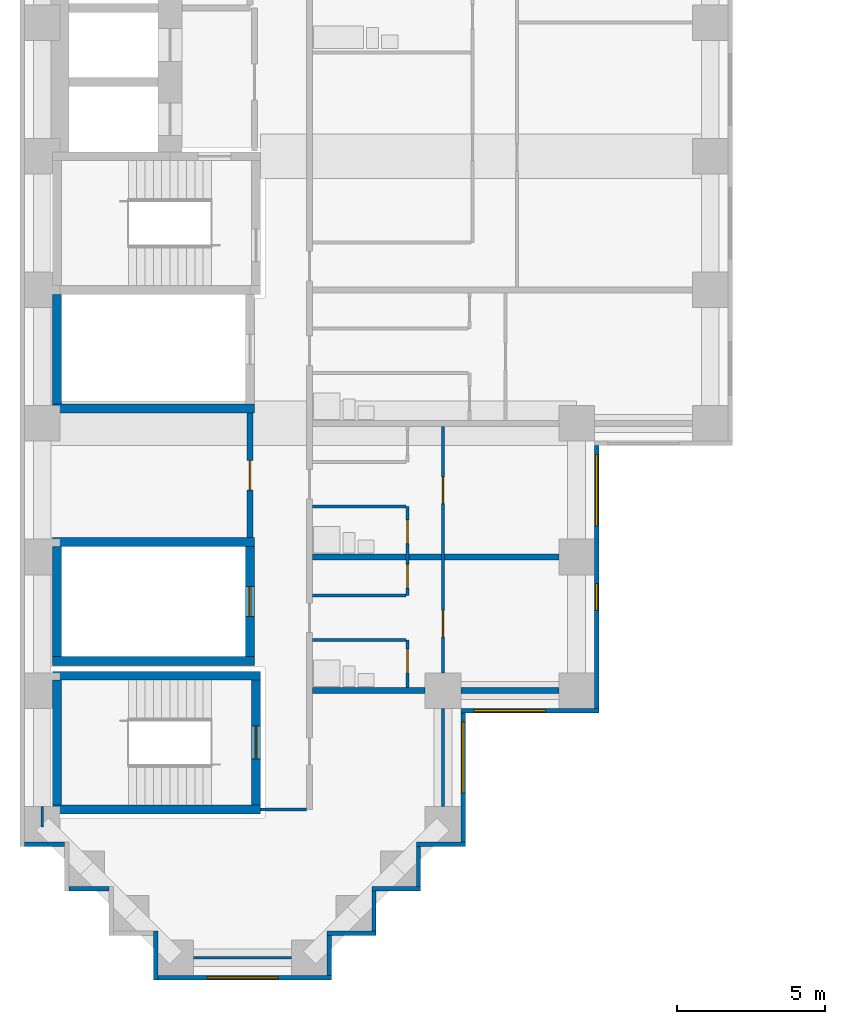
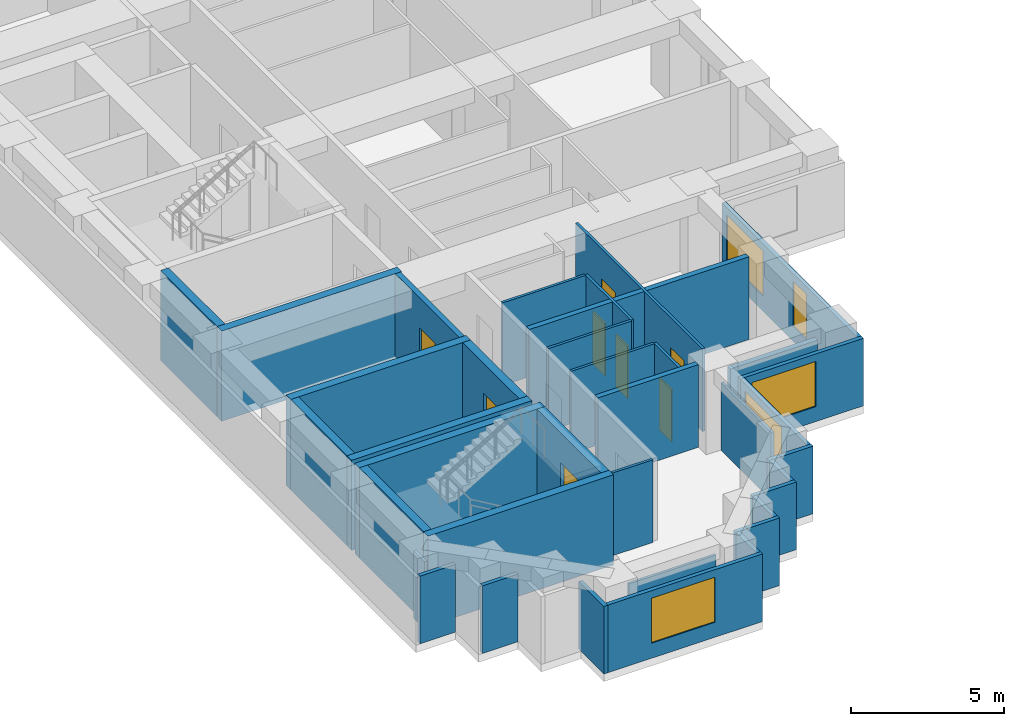
# One storey, part 2 of 12: 37 walls, 8 doors, 5 windows, 13 openings.
"""IFC4 building model written with IfcOpenShell, lengths in metres."""

from ifc_helpers import new_model, si_unit, direction, frame, frame_2d, origin, place, context, subcontext, project, spatial, rectangle, extrude, material, layer, layer_set, type_object, element, fill, save


model = new_model("IFC4")

# Units and contexts
model_context = context("Model", 3, precision=1e-05, world=origin(), true_north=direction((0.0, 1.0)))
body_context = subcontext(model_context, "Body", "Model", "MODEL_VIEW")
ifc_project = project(units=[si_unit("LENGTHUNIT", "METRE"), si_unit("AREAUNIT", "SQUARE_METRE"), si_unit("VOLUMEUNIT", "CUBIC_METRE"), si_unit("PLANEANGLEUNIT", "RADIAN"), si_unit("MASSUNIT", "GRAM", prefix="KILO")], contexts=[model_context])

# Site, building, storey
site_placement = place(None, origin())
site = spatial("IfcSite", under=ifc_project, at=site_placement, CompositionType="ELEMENT")
building_placement = place(site_placement, origin())
building = spatial("IfcBuilding", under=site, at=building_placement, Name="Firuza Court", CompositionType="ELEMENT")
storey_placement = place(building_placement, frame((0.0, 0.0, 43.39990234375)))
storey = spatial("IfcBuildingStorey", under=building, at=storey_placement, Name="L09", CompositionType="ELEMENT", Elevation=43.39990234375)

# Walls
ifc_material_1 = material(Name="Moisture-resistant gypsum board partition")
ifc_layer_1 = layer(ifc_material_1, 0.10009765625)
ifc_layer_set_1 = layer_set([ifc_layer_1], Name="Moisture-resistant gypsum board partition")
wall_type_1 = type_object("IfcWallType", Name="Bathroom partition 100", PredefinedType="PLUMBINGWALL", material=ifc_layer_set_1)
for number, where, z_axis, x_axis, name in (
    (1, (9.10009765625, 10.699951171875, 0.0), (0.0, 0.0, 1.0), (1.0, 0.0, 0.0), "Bathroom partition 100 L09"),
    (2, (9.10009765625, 15.199951171875, 0.0), (0.0, 0.0, 1.0), (1.0, 0.0, 0.0), "Bathroom partition 100 L09"),
):
    element("IfcWall", number, at=place(storey_placement, frame(where, z_axis=z_axis, x_axis=x_axis)), inside=storey, type_object=wall_type_1, Name=name, PredefinedType="PLUMBINGWALL", context=body_context, shape_type="SweptSolid", body=[
        extrude(rectangle(XDim=3.14990234375, YDim=0.10009765625, at=frame_2d((1.574951171875, 0.0))), origin(), (0.0, 0.0, 1.0), 3.300048828125),
    ])
ifc_material_2 = material(Name="Concrete C60/75", Category="concrete")
ifc_layer_2 = layer(ifc_material_2, 0.300048828125)
ifc_layer_set_2 = layer_set([ifc_layer_2], Name="Concrete C60/75")
wall_type_2 = type_object("IfcWallType", Name="Core wall 300 C60/75", PredefinedType="SHEAR", material=ifc_layer_set_2)
for number, where, z_axis, x_axis, name in (
    (3, (0.35009765625, 5.0, -0.2998046875), (0.0, 0.0, 1.0), (1.0, 0.0, 0.0), "Core wall stair L09"),
    (4, (0.35009765625, 9.5, -0.2998046875), (0.0, 0.0, 1.0), (1.0, 0.0, 0.0), "Core wall stair L09"),
):
    element("IfcWall", number, at=place(storey_placement, frame(where, z_axis=z_axis, x_axis=x_axis)), inside=storey, type_object=wall_type_2, Name=name, PredefinedType="SHEAR", context=body_context, shape_type="SweptSolid", body=[
        extrude(rectangle(XDim=7.0, YDim=0.300048828125, at=frame_2d((3.5, 0.0))), origin(), (0.0, 0.0, 1.0), 3.599853515625),
    ])
for number, where, z_axis, x_axis, name in (
    (5, (0.35009765625, 10.0, -0.2998046875), (0.0, 0.0, 1.0), (1.0, 0.0, 0.0), "Core wall riser L09"),
    (6, (0.35009765625, 14.0, -0.2998046875), (0.0, 0.0, 1.0), (1.0, 0.0, 0.0), "Core wall riser L09"),
    (7, (0.35009765625, 18.5, -0.2998046875), (0.0, 0.0, 1.0), (1.0, 0.0, 0.0), "Core wall riser L09"),
):
    element("IfcWall", number, at=place(storey_placement, frame(where, z_axis=z_axis, x_axis=x_axis)), inside=storey, type_object=wall_type_2, Name=name, PredefinedType="SHEAR", context=body_context, shape_type="SweptSolid", body=[
        extrude(rectangle(XDim=6.7998046875, YDim=0.300048828125, at=frame_2d((3.39990234375, 0.0))), origin(), (0.0, 0.0, 1.0), 3.599853515625),
    ])
wall_1_placement = place(storey_placement, frame((0.5, 5.14990234375, -0.2998046875), z_axis=(0.0, 0.0, 1.0), x_axis=(0.0, 1.0, 0.0)))
element("IfcWall", 8, at=wall_1_placement, inside=storey, type_object=wall_type_2, Name="Core wall stair L09", PredefinedType="SHEAR", context=body_context, shape_type="SweptSolid", body=[
    extrude(rectangle(XDim=4.2001953125, YDim=0.300048828125, at=frame_2d((2.10009765625, 0.0))), origin(), (0.0, 0.0, 1.0), 3.599853515625),
])
for number, where, z_axis, x_axis, name in (
    (9, (0.5, 10.14990234375, -0.2998046875), (0.0, 0.0, 1.0), (0.0, 1.0, 0.0), "Core wall riser L09"),
    (10, (0.5, 18.64990234375, -0.2998046875), (0.0, 0.0, 1.0), (0.0, 1.0, 0.0), "Core wall riser L09"),
):
    element("IfcWall", number, at=place(storey_placement, frame(where, z_axis=z_axis, x_axis=x_axis)), inside=storey, type_object=wall_type_2, Name=name, PredefinedType="SHEAR", context=body_context, shape_type="SweptSolid", body=[
        extrude(rectangle(XDim=3.7001953125, YDim=0.300048828125, at=frame_2d((1.85009765625, 0.0))), origin(), (0.0, 0.0, 1.0), 3.599853515625),
    ])

# Wall, opening, door
wall_2_placement = place(storey_placement, frame((7.0, 10.14990234375, -0.2998046875), z_axis=(0.0, 0.0, 1.0), x_axis=(0.0, 1.0, 0.0)))
wall_2 = element("IfcWall", 11, at=wall_2_placement, inside=storey, type_object=wall_type_2, Name="Core wall riser L09", PredefinedType="SHEAR", context=body_context, shape_type="SweptSolid", body=[
    extrude(rectangle(XDim=3.7001953125, YDim=0.300048828125, at=frame_2d((1.85009765625, 0.0))), origin(), (0.0, 0.0, 1.0), 3.599853515625),
])
opening_1_placement = place(wall_2_placement, frame((1.35009765625, 0.0, 0.300048828125)))
opening_1 = element("IfcOpeningElement", 12, at=opening_1_placement, cuts=wall_2, Name="Opening D09012", PredefinedType="OPENING", context=body_context, shape_type="SweptSolid", body=[
    extrude(rectangle(XDim=1.0, YDim=2.10009765625, at=frame_2d((0.5, 1.050048828125))), frame((0.0, 0.162109375, 0.0), z_axis=(0.0, -1.0, 0.0), x_axis=(1.0, 0.0, 0.0)), (0.0, 0.0, 1.0), 0.323974609375),
])
ifc_material_3 = material(Name="Timber door leaf in hardwood frame", Category="wood")
door_type_1 = type_object("IfcDoorType", Name="Riser door 1000", OperationType="SINGLE_SWING_LEFT", PredefinedType="DOOR", material=ifc_material_3)
door_1_placement = place(opening_1_placement, origin())
door_1 = element("IfcDoor", 13, at=door_1_placement, inside=storey, type_object=door_type_1, Name="Riser door R4", OperationType="SINGLE_SWING_LEFT", OverallHeight=2.10009765625, OverallWidth=1.0, PredefinedType="DOOR", context=body_context, shape_type="SweptSolid", body=[
    extrude(rectangle(XDim=1.0, YDim=2.10009765625, at=frame_2d((0.5, 1.050048828125))), frame((0.0, 0.02490234375, 0.0), z_axis=(0.0, -1.0, 0.0), x_axis=(1.0, 0.0, 0.0)), (0.0, 0.0, 1.0), 0.050048828125),
])
fill(opening_1, door_1)

wall_3_placement = place(storey_placement, frame((7.199951171875, 5.14990234375, -0.2998046875), z_axis=(0.0, 0.0, 1.0), x_axis=(0.0, 1.0, 0.0)))
wall_3 = element("IfcWall", 14, at=wall_3_placement, inside=storey, type_object=wall_type_2, Name="Core wall stair L09", PredefinedType="SHEAR", context=body_context, shape_type="SweptSolid", body=[
    extrude(rectangle(XDim=4.2001953125, YDim=0.300048828125, at=frame_2d((2.10009765625, 0.0))), origin(), (0.0, 0.0, 1.0), 3.599853515625),
])
opening_2_placement = place(wall_3_placement, frame((1.550048828125, 0.0, 0.300048828125)))
opening_2 = element("IfcOpeningElement", 15, at=opening_2_placement, cuts=wall_3, Name="Opening D09018", PredefinedType="OPENING", context=body_context, shape_type="SweptSolid", body=[
    extrude(rectangle(XDim=1.10009765625, YDim=2.10009765625, at=frame_2d((0.550048828125, 1.050048828125))), frame((0.0, 0.162109375, 0.0), z_axis=(0.0, -1.0, 0.0), x_axis=(1.0, 0.0, 0.0)), (0.0, 0.0, 1.0), 0.323974609375),
])
ifc_material_4 = material(Name="Timber door leaf in hardwood frame", Category="wood")
door_type_2 = type_object("IfcDoorType", Name="Stair door 1100", OperationType="SINGLE_SWING_LEFT", PredefinedType="DOOR", material=ifc_material_4)
door_2_placement = place(opening_2_placement, origin())
door_2 = element("IfcDoor", 16, at=door_2_placement, inside=storey, type_object=door_type_2, Name="Stair door S5", OperationType="SINGLE_SWING_LEFT", OverallHeight=2.10009765625, OverallWidth=1.10009765625, PredefinedType="DOOR", context=body_context, shape_type="SweptSolid", body=[
    extrude(rectangle(XDim=1.10009765625, YDim=2.10009765625, at=frame_2d((0.550048828125, 1.050048828125))), frame((0.0, 0.02490234375, 0.0), z_axis=(0.0, -1.0, 0.0), x_axis=(1.0, 0.0, 0.0)), (0.0, 0.0, 1.0), 0.050048828125),
])
fill(opening_2, door_2)

ifc_material_5 = material(Name="Blockwork, plastered both sides", Category="masonry")
ifc_layer_3 = layer(ifc_material_5, 0.199951171875)
ifc_layer_set_3 = layer_set([ifc_layer_3], Name="Blockwork, plastered both sides")
wall_type_3 = type_object("IfcWallType", Name="Corridor wall 200", PredefinedType="PARTITIONING", material=ifc_layer_set_3)
wall_4_placement = place(storey_placement, frame((7.0, 14.14990234375, 0.0), z_axis=(0.0, 0.0, 1.0), x_axis=(0.0, 1.0, 0.0)))
wall_4 = element("IfcWall", 17, at=wall_4_placement, inside=storey, type_object=wall_type_3, Name="Corridor wall 200 L09", PredefinedType="PARTITIONING", context=body_context, shape_type="SweptSolid", body=[
    extrude(rectangle(XDim=4.2001953125, YDim=0.199951171875, at=frame_2d((2.10009765625, 0.0))), origin(), (0.0, 0.0, 1.0), 3.300048828125),
])
opening_3_placement = place(wall_4_placement, frame((1.60009765625, 0.0, 0.0)))
opening_3 = element("IfcOpeningElement", 18, at=opening_3_placement, cuts=wall_4, Name="Opening D09030", PredefinedType="OPENING", context=body_context, shape_type="SweptSolid", body=[
    extrude(rectangle(XDim=1.0, YDim=2.10009765625, at=frame_2d((0.5, 1.050048828125))), frame((0.0, 0.11181640625, 0.0), z_axis=(0.0, -1.0, 0.0), x_axis=(1.0, 0.0, 0.0)), (0.0, 0.0, 1.0), 0.223876953125),
])
ifc_material_6 = material(Name="Timber door leaf in hardwood frame", Category="wood")
door_type_3 = type_object("IfcDoorType", Name="Store door 1000", OperationType="SINGLE_SWING_LEFT", PredefinedType="DOOR", material=ifc_material_6)
door_3_placement = place(opening_3_placement, origin())
door_3 = element("IfcDoor", 19, at=door_3_placement, inside=storey, type_object=door_type_3, Name="Parcel room door", OperationType="SINGLE_SWING_LEFT", OverallHeight=2.10009765625, OverallWidth=1.0, PredefinedType="DOOR", context=body_context, shape_type="SweptSolid", body=[
    extrude(rectangle(XDim=1.0, YDim=2.10009765625, at=frame_2d((0.5, 1.050048828125))), frame((0.0, 0.02490234375, 0.0), z_axis=(0.0, -1.0, 0.0), x_axis=(1.0, 0.0, 0.0)), (0.0, 0.0, 1.0), 0.050048828125),
])
fill(opening_3, door_3)

# Walls
ifc_material_7 = material(Name="Timber stud partition, plasterboard both sides", Category="wood")
ifc_layer_4 = layer(ifc_material_7, 0.10009765625)
ifc_layer_set_4 = layer_set([ifc_layer_4], Name="Timber stud partition, plasterboard both sides")
wall_type_4 = type_object("IfcWallType", Name="Partition wall 100", PredefinedType="PARTITIONING", material=ifc_layer_set_4)
wall_5_placement = place(storey_placement, frame((5.10009765625, 0.0, 0.0), z_axis=(0.0, 0.0, 1.0), x_axis=(1.0, 0.0, 0.0)))
element("IfcWall", 20, at=wall_5_placement, inside=storey, type_object=wall_type_4, Name="Partition wall 100 L09", PredefinedType="PARTITIONING", context=body_context, shape_type="SweptSolid", body=[
    extrude(rectangle(XDim=3.2998046875, YDim=0.10009765625, at=frame_2d((1.64990234375, 0.0))), origin(), (0.0, 0.0, 1.0), 2.7001953125),
])
wall_6_placement = place(storey_placement, frame((0.0, 4.39990234375, 0.0), z_axis=(0.0, 0.0, 1.0), x_axis=(0.0, 1.0, 0.0)))
element("IfcWall", 21, at=wall_6_placement, inside=storey, type_object=wall_type_4, Name="Partition wall 100 L09", PredefinedType="PARTITIONING", context=body_context, shape_type="SweptSolid", body=[
    extrude(rectangle(XDim=0.7001953125, YDim=0.10009765625, at=frame_2d((0.35009765625, 0.0))), origin(), (0.0, 0.0, 1.0), 2.7001953125),
])
wall_7_placement = place(storey_placement, frame((7.34912109375, 5.0, 0.0), z_axis=(0.0, 0.0, 1.0), x_axis=(1.0, 0.0, 0.0)))
element("IfcWall", 22, at=wall_7_placement, inside=storey, type_object=wall_type_4, Name="Partition wall 100 L09", PredefinedType="PARTITIONING", context=body_context, shape_type="SweptSolid", body=[
    extrude(rectangle(XDim=1.55078125, YDim=0.10009765625, at=frame_2d((0.775390625, 0.0))), origin(), (0.0, 0.0, 1.0), 3.300048828125),
])
wall_8_placement = place(storey_placement, frame((13.5, 5.10009765625, 0.0), z_axis=(0.0, 0.0, 1.0), x_axis=(0.0, 1.0, 0.0)))
element("IfcWall", 23, at=wall_8_placement, inside=storey, type_object=wall_type_4, Name="Partition wall 100 L09", PredefinedType="PARTITIONING", context=body_context, shape_type="SweptSolid", body=[
    extrude(rectangle(XDim=3.2998046875, YDim=0.10009765625, at=frame_2d((1.64990234375, 0.0))), origin(), (0.0, 0.0, 1.0), 2.7001953125),
])

# Wall, opening, door
wall_9_placement = place(storey_placement, frame((12.300048828125, 9.10009765625, 0.0), z_axis=(0.0, 0.0, 1.0), x_axis=(0.0, 1.0, 0.0)))
wall_9 = element("IfcWall", 24, at=wall_9_placement, inside=storey, type_object=wall_type_4, Name="Partition wall 100 L09", PredefinedType="PARTITIONING", context=body_context, shape_type="SweptSolid", body=[
    extrude(rectangle(XDim=1.599853515625, YDim=0.10009765625, at=frame_2d((0.7998046875, 0.0))), origin(), (0.0, 0.0, 1.0), 3.300048828125),
])
opening_4_placement = place(wall_9_placement, frame((0.5, 0.0, 0.0)))
opening_4 = element("IfcOpeningElement", 25, at=opening_4_placement, cuts=wall_9, Name="Opening D09025", PredefinedType="OPENING", context=body_context, shape_type="SweptSolid", body=[
    extrude(rectangle(XDim=0.800048828125, YDim=2.10009765625, at=frame_2d((0.39990234375, 1.050048828125))), frame((0.0, 0.06201171875, 0.0), z_axis=(0.0, -1.0, 0.0), x_axis=(1.0, 0.0, 0.0)), (0.0, 0.0, 1.0), 0.1240234375),
])
ifc_material_8 = material(Name="Timber door leaf in hardwood frame", Category="wood")
door_type_4 = type_object("IfcDoorType", Name="Bathroom door 800", OperationType="SINGLE_SWING_LEFT", PredefinedType="DOOR", material=ifc_material_8)
door_4_placement = place(opening_4_placement, origin())
door_4 = element("IfcDoor", 26, at=door_4_placement, inside=storey, type_object=door_type_4, Name="Bathroom door", OperationType="SINGLE_SWING_RIGHT", OverallHeight=2.10009765625, OverallWidth=0.800048828125, PredefinedType="DOOR", context=body_context, shape_type="SweptSolid", body=[
    extrude(rectangle(XDim=0.800048828125, YDim=2.10009765625, at=frame_2d((0.39990234375, 1.050048828125))), frame((0.0, 0.02490234375, 0.0), z_axis=(0.0, -1.0, 0.0), x_axis=(1.0, 0.0, 0.0)), (0.0, 0.0, 1.0), 0.050048828125),
])
fill(opening_4, door_4)

# Wall, openings, doors
wall_10_placement = place(storey_placement, frame((13.5, 9.60009765625, 0.0), z_axis=(0.0, 0.0, 1.0), x_axis=(0.0, 1.0, 0.0)))
wall_10 = element("IfcWall", 27, at=wall_10_placement, inside=storey, type_object=wall_type_4, Name="Partition wall 100 L09", PredefinedType="PARTITIONING", context=body_context, shape_type="SweptSolid", body=[
    extrude(rectangle(XDim=8.2998046875, YDim=0.10009765625, at=frame_2d((4.14990234375, 0.0))), origin(), (0.0, 0.0, 1.0), 3.300048828125),
])
opening_5_placement = place(wall_10_placement, frame((5.699951171875, 0.0, 0.0)))
opening_5 = element("IfcOpeningElement", 28, at=opening_5_placement, cuts=wall_10, Name="Opening D09026", PredefinedType="OPENING", context=body_context, shape_type="SweptSolid", body=[
    extrude(rectangle(XDim=0.89990234375, YDim=2.10009765625, at=frame_2d((0.449951171875, 1.050048828125))), frame((0.0, 0.06201171875, 0.0), z_axis=(0.0, -1.0, 0.0), x_axis=(1.0, 0.0, 0.0)), (0.0, 0.0, 1.0), 0.1240234375),
])
opening_6_placement = place(wall_10_placement, frame((1.199951171875, 0.0, 0.0)))
opening_6 = element("IfcOpeningElement", 29, at=opening_6_placement, cuts=wall_10, Name="Opening D09027", PredefinedType="OPENING", context=body_context, shape_type="SweptSolid", body=[
    extrude(rectangle(XDim=0.89990234375, YDim=2.10009765625, at=frame_2d((0.449951171875, 1.050048828125))), frame((0.0, 0.06201171875, 0.0), z_axis=(0.0, -1.0, 0.0), x_axis=(1.0, 0.0, 0.0)), (0.0, 0.0, 1.0), 0.1240234375),
])
ifc_material_9 = material(Name="Timber door leaf in hardwood frame", Category="wood")
door_type_5 = type_object("IfcDoorType", Name="Room door 900", OperationType="SINGLE_SWING_LEFT", PredefinedType="DOOR", material=ifc_material_9)
door_5_placement = place(opening_5_placement, frame((0.89990234375, 0.0, 0.0), z_axis=(0.0, 0.0, 1.0), x_axis=(-1.0, 0.0, 0.0)))
door_5 = element("IfcDoor", 30, at=door_5_placement, inside=storey, type_object=door_type_5, Name="Studio room door", OperationType="SINGLE_SWING_RIGHT", OverallHeight=2.10009765625, OverallWidth=0.89990234375, PredefinedType="DOOR", context=body_context, shape_type="SweptSolid", body=[
    extrude(rectangle(XDim=0.89990234375, YDim=2.10009765625, at=frame_2d((0.449951171875, 1.050048828125))), frame((0.0, 0.02490234375, 0.0), z_axis=(0.0, -1.0, 0.0), x_axis=(1.0, 0.0, 0.0)), (0.0, 0.0, 1.0), 0.050048828125),
])
fill(opening_5, door_5)
door_6_placement = place(opening_6_placement, frame((0.89990234375, 0.0, 0.0), z_axis=(0.0, 0.0, 1.0), x_axis=(-1.0, 0.0, 0.0)))
door_6 = element("IfcDoor", 31, at=door_6_placement, inside=storey, type_object=door_type_5, Name="Studio room door", OperationType="SINGLE_SWING_RIGHT", OverallHeight=2.10009765625, OverallWidth=0.89990234375, PredefinedType="DOOR", context=body_context, shape_type="SweptSolid", body=[
    extrude(rectangle(XDim=0.89990234375, YDim=2.10009765625, at=frame_2d((0.449951171875, 1.050048828125))), frame((0.0, 0.02490234375, 0.0), z_axis=(0.0, -1.0, 0.0), x_axis=(1.0, 0.0, 0.0)), (0.0, 0.0, 1.0), 0.050048828125),
])
fill(opening_6, door_6)

# Wall
wall_11_placement = place(storey_placement, frame((9.10009765625, 12.199951171875, 0.0), z_axis=(0.0, 0.0, 1.0), x_axis=(1.0, 0.0, 0.0)))
element("IfcWall", 32, at=wall_11_placement, inside=storey, type_object=wall_type_4, Name="Partition wall 100 L09", PredefinedType="PARTITIONING", context=body_context, shape_type="SweptSolid", body=[
    extrude(rectangle(XDim=3.14990234375, YDim=0.10009765625, at=frame_2d((1.574951171875, 0.0))), origin(), (0.0, 0.0, 1.0), 3.300048828125),
])

# Wall, openings, doors
wall_12_placement = place(storey_placement, frame((12.300048828125, 12.199951171875, 0.0), z_axis=(0.0, 0.0, 1.0), x_axis=(0.0, 1.0, 0.0)))
wall_12 = element("IfcWall", 33, at=wall_12_placement, inside=storey, type_object=wall_type_4, Name="Partition wall 100 L09", PredefinedType="PARTITIONING", context=body_context, shape_type="SweptSolid", body=[
    extrude(rectangle(XDim=3.0, YDim=0.10009765625, at=frame_2d((1.5, 0.0))), origin(), (0.0, 0.0, 1.0), 3.300048828125),
])
opening_7_placement = place(wall_12_placement, frame((1.75, 0.0, 0.0)))
opening_7 = element("IfcOpeningElement", 34, at=opening_7_placement, cuts=wall_12, Name="Opening D09028", PredefinedType="OPENING", context=body_context, shape_type="SweptSolid", body=[
    extrude(rectangle(XDim=0.800048828125, YDim=2.10009765625, at=frame_2d((0.39990234375, 1.050048828125))), frame((0.0, 0.06201171875, 0.0), z_axis=(0.0, -1.0, 0.0), x_axis=(1.0, 0.0, 0.0)), (0.0, 0.0, 1.0), 0.1240234375),
])
opening_8_placement = place(wall_12_placement, frame((0.25, 0.0, 0.0)))
opening_8 = element("IfcOpeningElement", 35, at=opening_8_placement, cuts=wall_12, Name="Opening D09029", PredefinedType="OPENING", context=body_context, shape_type="SweptSolid", body=[
    extrude(rectangle(XDim=0.800048828125, YDim=2.10009765625, at=frame_2d((0.39990234375, 1.050048828125))), frame((0.0, 0.06201171875, 0.0), z_axis=(0.0, -1.0, 0.0), x_axis=(1.0, 0.0, 0.0)), (0.0, 0.0, 1.0), 0.1240234375),
])
door_7_placement = place(opening_7_placement, origin())
door_7 = element("IfcDoor", 36, at=door_7_placement, inside=storey, type_object=door_type_4, Name="Bathroom door", OperationType="SINGLE_SWING_LEFT", OverallHeight=2.10009765625, OverallWidth=0.800048828125, PredefinedType="DOOR", context=body_context, shape_type="SweptSolid", body=[
    extrude(rectangle(XDim=0.800048828125, YDim=2.10009765625, at=frame_2d((0.39990234375, 1.050048828125))), frame((0.0, 0.02490234375, 0.0), z_axis=(0.0, -1.0, 0.0), x_axis=(1.0, 0.0, 0.0)), (0.0, 0.0, 1.0), 0.050048828125),
])
fill(opening_7, door_7)
ifc_material_10 = material(Name="Timber door leaf in hardwood frame", Category="wood")
door_type_6 = type_object("IfcDoorType", Name="Room door 800", OperationType="SINGLE_SWING_LEFT", PredefinedType="DOOR", material=ifc_material_10)
door_8_placement = place(opening_8_placement, origin())
door_8 = element("IfcDoor", 37, at=door_8_placement, inside=storey, type_object=door_type_6, Name="Kitchen door", OperationType="SINGLE_SWING_LEFT", OverallHeight=2.10009765625, OverallWidth=0.800048828125, PredefinedType="DOOR", context=body_context, shape_type="SweptSolid", body=[
    extrude(rectangle(XDim=0.800048828125, YDim=2.10009765625, at=frame_2d((0.39990234375, 1.050048828125))), frame((0.0, 0.02490234375, 0.0), z_axis=(0.0, -1.0, 0.0), x_axis=(1.0, 0.0, 0.0)), (0.0, 0.0, 1.0), 0.050048828125),
])
fill(opening_8, door_8)

# Walls
ifc_layer_5 = layer(ifc_material_5, 0.199951171875)
ifc_layer_set_5 = layer_set([ifc_layer_5], Name="Blockwork, plastered both sides")
wall_type_5 = type_object("IfcWallType", Name="Party wall 200", PredefinedType="PARTITIONING", material=ifc_layer_set_5)
wall_13_placement = place(storey_placement, frame((9.10009765625, 9.0, 0.0), z_axis=(0.0, 0.0, 1.0), x_axis=(1.0, 0.0, 0.0)))
element("IfcWall", 38, at=wall_13_placement, inside=storey, type_object=wall_type_5, Name="Party wall 200 L09", PredefinedType="PARTITIONING", context=body_context, shape_type="SweptSolid", body=[
    extrude(rectangle(XDim=3.7998046875, YDim=0.199951171875, at=frame_2d((1.89990234375, 0.0))), origin(), (0.0, 0.0, 1.0), 3.300048828125),
])
wall_14_placement = place(storey_placement, frame((14.10009765625, 9.0, 0.0), z_axis=(0.0, 0.0, 1.0), x_axis=(1.0, 0.0, 0.0)))
element("IfcWall", 39, at=wall_14_placement, inside=storey, type_object=wall_type_5, Name="Party wall 200 L09", PredefinedType="PARTITIONING", context=body_context, shape_type="SweptSolid", body=[
    extrude(rectangle(XDim=3.2998046875, YDim=0.199951171875, at=frame_2d((1.64990234375, 0.0))), origin(), (0.0, 0.0, 1.0), 2.7001953125),
])
wall_15_placement = place(storey_placement, frame((9.10009765625, 13.5, 0.0), z_axis=(0.0, 0.0, 1.0), x_axis=(1.0, 0.0, 0.0)))
element("IfcWall", 40, at=wall_15_placement, inside=storey, type_object=wall_type_5, Name="Party wall 200 L09", PredefinedType="PARTITIONING", context=body_context, shape_type="SweptSolid", body=[
    extrude(rectangle(XDim=8.2998046875, YDim=0.199951171875, at=frame_2d((4.14990234375, 0.0))), origin(), (0.0, 0.0, 1.0), 3.300048828125),
])
ifc_material_11 = material(Name="Ceramic tile", Category="ceramic")
ifc_layer_6 = layer(ifc_material_11, 0.02001953125)
ifc_material_12 = material(Name="Mineral wool insulation", Category="insulation")
ifc_layer_7 = layer(ifc_material_12, 0.050048828125)
ifc_material_13 = material(Name="Concrete C40/50 precast", Category="concrete")
ifc_layer_8 = layer(ifc_material_13, 0.080078125)
ifc_layer_set_6 = layer_set([ifc_layer_6, ifc_layer_7, ifc_layer_8], Name="Concrete C40/50 precast")
wall_type_6 = type_object("IfcWallType", Name="Precast cladding wall with turquoise TILE PANEL face 150", PredefinedType="STANDARD", material=ifc_layer_set_6)
wall_16_placement = place(storey_placement, frame((9.675048828125, -0.60009765625, 0.0), z_axis=(0.0, 0.0, 1.0), x_axis=(0.0, 1.0, 0.0)))
element("IfcWall", 41, at=wall_16_placement, inside=storey, type_object=wall_type_6, Name="Facade wall L09 E", PredefinedType="STANDARD", context=body_context, shape_type="SweptSolid", body=[
    extrude(rectangle(XDim=1.35009765625, YDim=0.14990234375, at=frame_2d((0.675048828125, 0.0))), origin(), (0.0, 0.0, 1.0), 2.7001953125),
])
wall_17_placement = place(storey_placement, frame((9.60009765625, 0.824951171875, 0.0), z_axis=(0.0, 0.0, 1.0), x_axis=(1.0, 0.0, 0.0)))
element("IfcWall", 42, at=wall_17_placement, inside=storey, type_object=wall_type_6, Name="Facade wall L09 S", PredefinedType="STANDARD", context=body_context, shape_type="SweptSolid", body=[
    extrude(rectangle(XDim=1.64990234375, YDim=0.14990234375, at=frame_2d((0.824951171875, 0.0))), origin(), (0.0, 0.0, 1.0), 2.7001953125),
])
wall_18_placement = place(storey_placement, frame((11.175048828125, 0.89990234375, 0.0), z_axis=(0.0, 0.0, 1.0), x_axis=(0.0, 1.0, 0.0)))
element("IfcWall", 43, at=wall_18_placement, inside=storey, type_object=wall_type_6, Name="Facade wall L09 E", PredefinedType="STANDARD", context=body_context, shape_type="SweptSolid", body=[
    extrude(rectangle(XDim=1.35009765625, YDim=0.14990234375, at=frame_2d((0.675048828125, 0.0))), origin(), (0.0, 0.0, 1.0), 2.7001953125),
])
wall_19_placement = place(storey_placement, frame((11.10009765625, 2.324951171875, 0.0), z_axis=(0.0, 0.0, 1.0), x_axis=(1.0, 0.0, 0.0)))
element("IfcWall", 44, at=wall_19_placement, inside=storey, type_object=wall_type_6, Name="Facade wall L09 S", PredefinedType="STANDARD", context=body_context, shape_type="SweptSolid", body=[
    extrude(rectangle(XDim=1.64990234375, YDim=0.14990234375, at=frame_2d((0.824951171875, 0.0))), origin(), (0.0, 0.0, 1.0), 2.7001953125),
])
wall_20_placement = place(storey_placement, frame((12.675048828125, 2.39990234375, 0.0), z_axis=(0.0, 0.0, 1.0), x_axis=(0.0, 1.0, 0.0)))
element("IfcWall", 45, at=wall_20_placement, inside=storey, type_object=wall_type_6, Name="Facade wall L09 E", PredefinedType="STANDARD", context=body_context, shape_type="SweptSolid", body=[
    extrude(rectangle(XDim=1.35009765625, YDim=0.14990234375, at=frame_2d((0.675048828125, 0.0))), origin(), (0.0, 0.0, 1.0), 2.7001953125),
])
wall_21_placement = place(storey_placement, frame((12.60009765625, 3.824951171875, 0.0), z_axis=(0.0, 0.0, 1.0), x_axis=(1.0, 0.0, 0.0)))
element("IfcWall", 46, at=wall_21_placement, inside=storey, type_object=wall_type_6, Name="Facade wall L09 S", PredefinedType="STANDARD", context=body_context, shape_type="SweptSolid", body=[
    extrude(rectangle(XDim=1.64990234375, YDim=0.14990234375, at=frame_2d((0.824951171875, 0.0))), origin(), (0.0, 0.0, 1.0), 2.7001953125),
])

# Wall, opening, window
wall_22_placement = place(storey_placement, frame((14.175048828125, 3.89990234375, 0.0), z_axis=(0.0, 0.0, 1.0), x_axis=(0.0, 1.0, 0.0)))
wall_22 = element("IfcWall", 47, at=wall_22_placement, inside=storey, type_object=wall_type_6, Name="Facade wall L09 E", PredefinedType="STANDARD", context=body_context, shape_type="SweptSolid", body=[
    extrude(rectangle(XDim=4.35009765625, YDim=0.14990234375, at=frame_2d((2.175048828125, 0.0))), origin(), (0.0, 0.0, 1.0), 2.7001953125),
])
opening_9_placement = place(wall_22_placement, frame((1.64990234375, 0.0, 0.60009765625)))
opening_9 = element("IfcOpeningElement", 48, at=opening_9_placement, cuts=wall_22, Name="Opening W1", PredefinedType="OPENING", context=body_context, shape_type="SweptSolid", body=[
    extrude(rectangle(XDim=2.39990234375, YDim=1.800048828125, at=frame_2d((1.199951171875, 0.89990234375))), frame((0.0, 0.0869140625, 0.0), z_axis=(0.0, -1.0, 0.0), x_axis=(1.0, 0.0, 0.0)), (0.0, 0.0, 1.0), 0.173828125),
])
ifc_material_14 = material(Name="Aluminium frame, triple clear glazing", Category="aluminium")
window_type_1 = type_object("IfcWindowType", Name="Window W1 2400 x 1800", PartitioningType="SINGLE_PANEL", PredefinedType="WINDOW", material=ifc_material_14)
window_1_placement = place(opening_9_placement, origin())
window_1 = element("IfcWindow", 49, at=window_1_placement, inside=storey, type_object=window_type_1, Name="Window L09", OverallHeight=1.800048828125, OverallWidth=2.39990234375, PartitioningType="SINGLE_PANEL", PredefinedType="WINDOW", context=body_context, shape_type="SweptSolid", body=[
    extrude(rectangle(XDim=2.39990234375, YDim=1.800048828125, at=frame_2d((1.199951171875, 0.89990234375))), frame((0.0, 0.030029296875, 0.0), z_axis=(0.0, -1.0, 0.0), x_axis=(1.0, 0.0, 0.0)), (0.0, 0.0, 1.0), 0.06005859375),
])
fill(opening_9, window_1)

wall_23_placement = place(storey_placement, frame((14.10009765625, 8.324951171875, 0.0), z_axis=(0.0, 0.0, 1.0), x_axis=(1.0, 0.0, 0.0)))
wall_23 = element("IfcWall", 50, at=wall_23_placement, inside=storey, type_object=wall_type_6, Name="Facade wall L09 S", PredefinedType="STANDARD", context=body_context, shape_type="SweptSolid", body=[
    extrude(rectangle(XDim=4.64990234375, YDim=0.14990234375, at=frame_2d((2.324951171875, 0.0))), origin(), (0.0, 0.0, 1.0), 2.7001953125),
])
opening_10_placement = place(wall_23_placement, frame((0.449951171875, 0.0, 0.60009765625)))
opening_10 = element("IfcOpeningElement", 51, at=opening_10_placement, cuts=wall_23, Name="Opening W1", PredefinedType="OPENING", context=body_context, shape_type="SweptSolid", body=[
    extrude(rectangle(XDim=2.39990234375, YDim=1.800048828125, at=frame_2d((1.199951171875, 0.89990234375))), frame((0.0, 0.0869140625, 0.0), z_axis=(0.0, -1.0, 0.0), x_axis=(1.0, 0.0, 0.0)), (0.0, 0.0, 1.0), 0.173828125),
])
window_2_placement = place(opening_10_placement, origin())
window_2 = element("IfcWindow", 52, at=window_2_placement, inside=storey, type_object=window_type_1, Name="Window L09", OverallHeight=1.800048828125, OverallWidth=2.39990234375, PartitioningType="SINGLE_PANEL", PredefinedType="WINDOW", context=body_context, shape_type="SweptSolid", body=[
    extrude(rectangle(XDim=2.39990234375, YDim=1.800048828125, at=frame_2d((1.199951171875, 0.89990234375))), frame((0.0, 0.030029296875, 0.0), z_axis=(0.0, -1.0, 0.0), x_axis=(1.0, 0.0, 0.0)), (0.0, 0.0, 1.0), 0.06005859375),
])
fill(opening_10, window_2)

# Wall, openings, windows
wall_24_placement = place(storey_placement, frame((18.675048828125, 8.39990234375, 0.0), z_axis=(0.0, 0.0, 1.0), x_axis=(0.0, 1.0, 0.0)))
wall_24 = element("IfcWall", 53, at=wall_24_placement, inside=storey, type_object=wall_type_6, Name="Facade wall L09 E", PredefinedType="STANDARD", context=body_context, shape_type="SweptSolid", body=[
    extrude(rectangle(XDim=8.85009765625, YDim=0.14990234375, at=frame_2d((4.425048828125, 0.0))), origin(), (0.0, 0.0, 1.0), 2.7001953125),
])
opening_11_placement = place(wall_24_placement, frame((3.29931640625, 0.0, 0.60009765625)))
opening_11 = element("IfcOpeningElement", 54, at=opening_11_placement, cuts=wall_24, Name="Opening W3", PredefinedType="OPENING", context=body_context, shape_type="SweptSolid", body=[
    extrude(rectangle(XDim=0.89990234375, YDim=1.800048828125, at=frame_2d((0.449951171875, 0.89990234375))), frame((0.0, 0.0869140625, 0.0), z_axis=(0.0, -1.0, 0.0), x_axis=(1.0, 0.0, 0.0)), (0.0, 0.0, 1.0), 0.173828125),
])
opening_12_placement = place(wall_24_placement, frame((6.14990234375, 0.0, 0.60009765625)))
opening_12 = element("IfcOpeningElement", 55, at=opening_12_placement, cuts=wall_24, Name="Opening W1", PredefinedType="OPENING", context=body_context, shape_type="SweptSolid", body=[
    extrude(rectangle(XDim=2.39990234375, YDim=1.800048828125, at=frame_2d((1.199951171875, 0.89990234375))), frame((0.0, 0.0869140625, 0.0), z_axis=(0.0, -1.0, 0.0), x_axis=(1.0, 0.0, 0.0)), (0.0, 0.0, 1.0), 0.173828125),
])
window_3_placement = place(opening_12_placement, origin())
window_3 = element("IfcWindow", 56, at=window_3_placement, inside=storey, type_object=window_type_1, Name="Window L09", OverallHeight=1.800048828125, OverallWidth=2.39990234375, PartitioningType="SINGLE_PANEL", PredefinedType="WINDOW", context=body_context, shape_type="SweptSolid", body=[
    extrude(rectangle(XDim=2.39990234375, YDim=1.800048828125, at=frame_2d((1.199951171875, 0.89990234375))), frame((0.0, 0.030029296875, 0.0), z_axis=(0.0, -1.0, 0.0), x_axis=(1.0, 0.0, 0.0)), (0.0, 0.0, 1.0), 0.06005859375),
])
fill(opening_12, window_3)
ifc_material_15 = material(Name="Aluminium frame, triple clear glazing", Category="aluminium")
window_type_2 = type_object("IfcWindowType", Name="Window W3 900 x 1800", PartitioningType="SINGLE_PANEL", PredefinedType="WINDOW", material=ifc_material_15)
window_4_placement = place(opening_11_placement, origin())
window_4 = element("IfcWindow", 57, at=window_4_placement, inside=storey, type_object=window_type_2, Name="Window L09", OverallHeight=1.800048828125, OverallWidth=0.89990234375, PartitioningType="SINGLE_PANEL", PredefinedType="WINDOW", context=body_context, shape_type="SweptSolid", body=[
    extrude(rectangle(XDim=0.89990234375, YDim=1.800048828125, at=frame_2d((0.449951171875, 0.89990234375))), frame((0.0, 0.030029296875, 0.0), z_axis=(0.0, -1.0, 0.0), x_axis=(1.0, 0.0, 0.0)), (0.0, 0.0, 1.0), 0.06005859375),
])
fill(opening_11, window_4)

# Walls
for number, where, z_axis, x_axis, name in (
    (58, (-0.60009765625, 3.824951171875, 0.0), (0.0, 0.0, 1.0), (1.0, 0.0, 0.0), "Facade wall L09 S"),
    (59, (0.89990234375, 2.324951171875, 0.0), (0.0, 0.0, 1.0), (1.0, 0.0, 0.0), "Facade wall L09 S"),
):
    element("IfcWall", number, at=place(storey_placement, frame(where, z_axis=z_axis, x_axis=x_axis)), inside=storey, type_object=wall_type_6, Name=name, PredefinedType="STANDARD", context=body_context, shape_type="SweptSolid", body=[
        extrude(rectangle(XDim=1.35009765625, YDim=0.14990234375, at=frame_2d((0.675048828125, 0.0))), origin(), (0.0, 0.0, 1.0), 2.7001953125),
    ])
wall_25_placement = place(storey_placement, frame((3.824951171875, 0.89990234375, 0.0), z_axis=(0.0, 0.0, 1.0), x_axis=(0.0, -1.0, 0.0)))
element("IfcWall", 60, at=wall_25_placement, inside=storey, type_object=wall_type_6, Name="Facade wall L09 W", PredefinedType="STANDARD", context=body_context, shape_type="SweptSolid", body=[
    extrude(rectangle(XDim=1.64990234375, YDim=0.14990234375, at=frame_2d((0.824951171875, 0.0))), origin(), (0.0, 0.0, 1.0), 2.7001953125),
])

# Wall, opening, window
wall_26_placement = place(storey_placement, frame((3.89990234375, -0.675048828125, 0.0), z_axis=(0.0, 0.0, 1.0), x_axis=(1.0, 0.0, 0.0)))
wall_26 = element("IfcWall", 61, at=wall_26_placement, inside=storey, type_object=wall_type_6, Name="Facade wall L09 S", PredefinedType="STANDARD", context=body_context, shape_type="SweptSolid", body=[
    extrude(rectangle(XDim=5.85009765625, YDim=0.14990234375, at=frame_2d((2.925048828125, 0.0))), origin(), (0.0, 0.0, 1.0), 2.7001953125),
])
opening_13_placement = place(wall_26_placement, frame((1.64990234375, 0.0, 0.60009765625)))
opening_13 = element("IfcOpeningElement", 62, at=opening_13_placement, cuts=wall_26, Name="Opening W1", PredefinedType="OPENING", context=body_context, shape_type="SweptSolid", body=[
    extrude(rectangle(XDim=2.39990234375, YDim=1.800048828125, at=frame_2d((1.199951171875, 0.89990234375))), frame((0.0, 0.0869140625, 0.0), z_axis=(0.0, -1.0, 0.0), x_axis=(1.0, 0.0, 0.0)), (0.0, 0.0, 1.0), 0.173828125),
])
window_5_placement = place(opening_13_placement, origin())
window_5 = element("IfcWindow", 63, at=window_5_placement, inside=storey, type_object=window_type_1, Name="Window L09", OverallHeight=1.800048828125, OverallWidth=2.39990234375, PartitioningType="SINGLE_PANEL", PredefinedType="WINDOW", context=body_context, shape_type="SweptSolid", body=[
    extrude(rectangle(XDim=2.39990234375, YDim=1.800048828125, at=frame_2d((1.199951171875, 0.89990234375))), frame((0.0, 0.030029296875, 0.0), z_axis=(0.0, -1.0, 0.0), x_axis=(1.0, 0.0, 0.0)), (0.0, 0.0, 1.0), 0.06005859375),
])
fill(opening_13, window_5)

save(model, "model.ifc")
